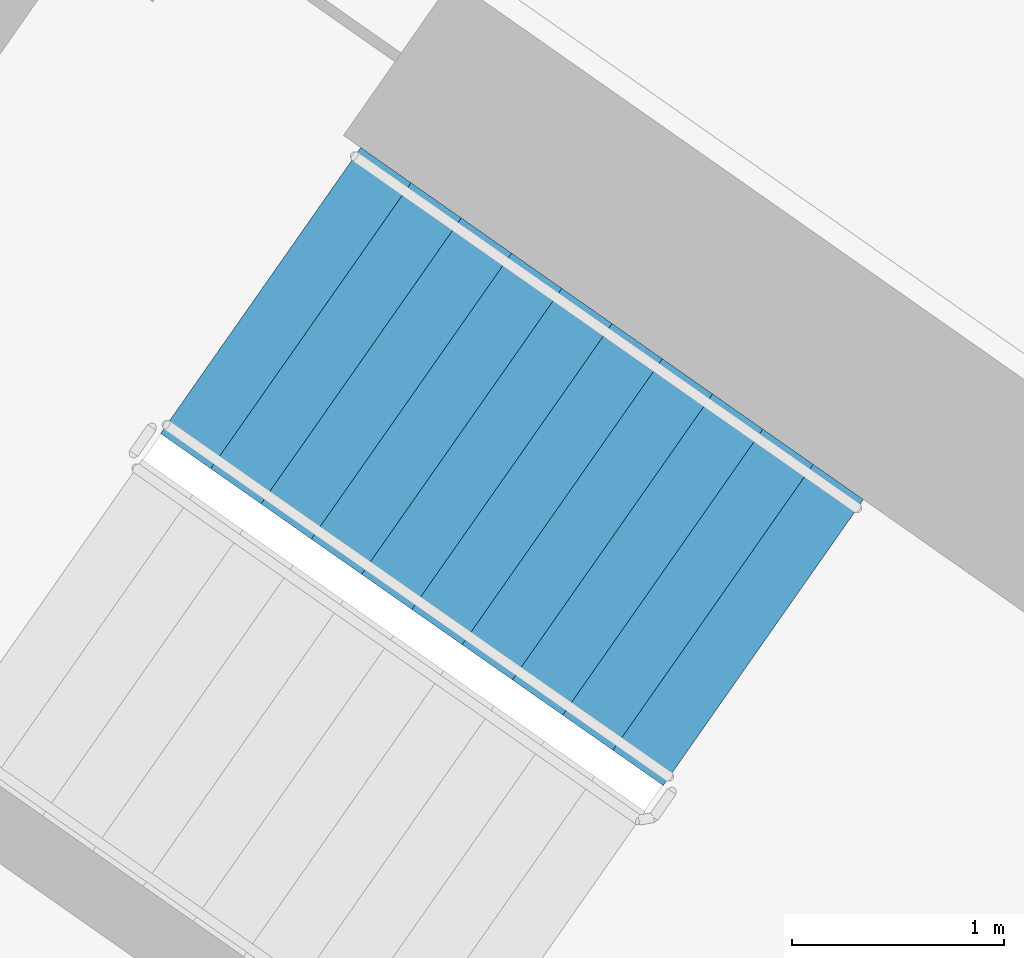
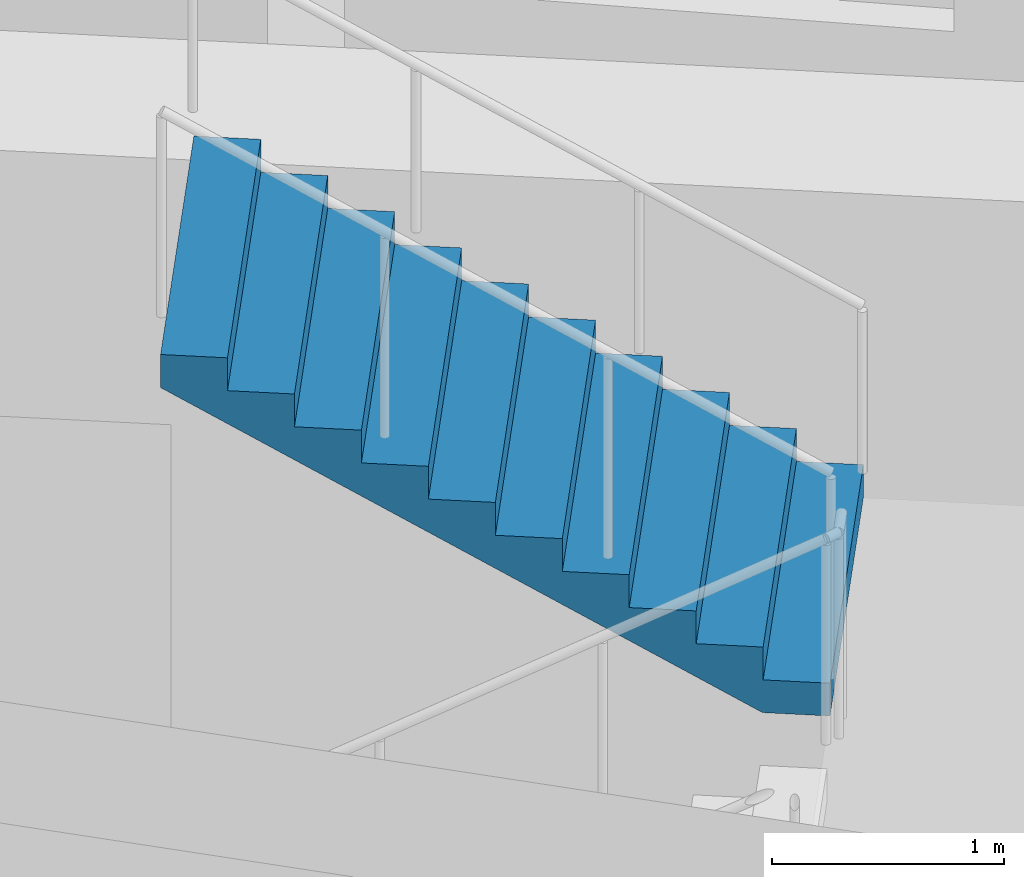
# One storey, part 14 of 31: 1 stair flight, 1 element without a shape of its own.
"""IFC4 building model written with IfcOpenShell, lengths in metres."""

from ifc_helpers import new_model, si_unit, direction, frame, origin, place, context, subcontext, project, spatial, faceted_brep, material, type_object, element, aggregate, save


model = new_model("IFC4")

# Units and contexts
model_context = context("Model", 3, precision=1e-05, world=origin(), true_north=direction((0.0, 1.0)))
body_context = subcontext(model_context, "Body", "Model", "MODEL_VIEW")
ifc_project = project(units=[si_unit("LENGTHUNIT", "METRE"), si_unit("AREAUNIT", "SQUARE_METRE"), si_unit("VOLUMEUNIT", "CUBIC_METRE"), si_unit("PLANEANGLEUNIT", "RADIAN"), si_unit("MASSUNIT", "GRAM", prefix="KILO")], contexts=[model_context])

# Site, building, storey
site_placement = place(None, origin())
site = spatial("IfcSite", under=ifc_project, at=site_placement, CompositionType="ELEMENT")
building_placement = place(site_placement, origin())
building = spatial("IfcBuilding", under=site, at=building_placement, Name="Qamariyya Broadcast Tower", CompositionType="ELEMENT")
storey_placement = place(building_placement, frame((0.0, 0.0, 74.699951171875)))
storey = spatial("IfcBuildingStorey", under=building, at=storey_placement, Name="L15", CompositionType="ELEMENT", Elevation=74.699951171875)

# Stair, stair flight
ifc_material = material(Name="Concrete C50/60", Category="concrete")
stair_type = type_object("IfcStairType", Name="Exit stair 22 risers of 173 mm", PredefinedType="HALF_TURN_STAIR", material=ifc_material)
stair_placement = place(storey_placement, origin())
stair = element("IfcStair", 1, at=stair_placement, inside=storey, type_object=stair_type, Name="L15 Stair W2", PredefinedType="HALF_TURN_STAIR")
stair_flight_type = type_object("IfcStairFlightType", Name="Exit stair flight 11 risers of 173 mm", PredefinedType="STRAIGHT", material=ifc_material)
stair_flight_placement = place(storey_placement, frame((-38.18310546875, -49.3486328125, 1.900146484375), z_axis=(0.0, 0.0, 1.0), x_axis=(-0.819152044289, 0.573576436351, 0.0)))
stair_flight = element("IfcStairFlight", 2, at=stair_flight_placement, type_object=stair_flight_type, Name="ST-W2 flight 2", NumberOfRisers=11, NumberOfTreads=10, PredefinedType="STRAIGHT", RiserHeight=0.172727273, TreadLength=0.29, context=body_context, shape_type="Brep", body=[
    faceted_brep([(0.0, 0.824951171875, 0.0), (0.0, 0.824951171875, 0.172607421875), (0.2900390625, 0.824951171875, 0.172607421875), (0.2900390625, 0.824951171875, 0.345458984375), (0.580078125, 0.824951171875, 0.345458984375), (0.580078125, 0.824951171875, 0.51806640625), (0.8701171875, 0.824951171875, 0.51806640625), (0.8701171875, 0.824951171875, 0.69091796875), (1.159912109375, 0.824951171875, 0.69091796875), (1.159912109375, 0.824951171875, 0.863525390625), (1.449951171875, 0.824951171875, 0.863525390625), (1.449951171875, 0.824951171875, 1.036376953125), (1.739990234375, 0.824951171875, 1.036376953125), (1.739990234375, 0.824951171875, 1.208984375), (2.030029296875, 0.824951171875, 1.208984375), (2.030029296875, 0.824951171875, 1.3818359375), (2.320068359375, 0.824951171875, 1.3818359375), (2.320068359375, 0.824951171875, 1.554443359375), (2.610107421875, 0.824951171875, 1.554443359375), (2.610107421875, 0.824951171875, 1.727294921875), (2.89990234375, 0.824951171875, 1.727294921875), (2.89990234375, 0.824951171875, 1.552734375), (0.29296875, 0.824951171875, 0.0), (0.29296875, -0.824951171875, 0.0), (2.89990234375, -0.824951171875, 1.552734375), (2.89990234375, -0.824951171875, 1.727294921875), (2.610107421875, -0.824951171875, 1.727294921875), (2.610107421875, -0.824951171875, 1.554443359375), (2.320068359375, -0.824951171875, 1.554443359375), (2.320068359375, -0.824951171875, 1.3818359375), (2.030029296875, -0.824951171875, 1.3818359375), (2.030029296875, -0.824951171875, 1.208984375), (1.739990234375, -0.824951171875, 1.208984375), (1.739990234375, -0.824951171875, 1.036376953125), (1.449951171875, -0.824951171875, 1.036376953125), (1.449951171875, -0.824951171875, 0.863525390625), (1.159912109375, -0.824951171875, 0.863525390625), (1.159912109375, -0.824951171875, 0.69091796875), (0.8701171875, -0.824951171875, 0.69091796875), (0.8701171875, -0.824951171875, 0.51806640625), (0.580078125, -0.824951171875, 0.51806640625), (0.580078125, -0.824951171875, 0.345458984375), (0.2900390625, -0.824951171875, 0.345458984375), (0.2900390625, -0.824951171875, 0.172607421875), (0.0, -0.824951171875, 0.172607421875), (0.0, -0.824951171875, 0.0), (0.0, 0.10009765625, 0.0), (0.0, 0.086669921875, 0.0), (0.0, 0.0732421875, 0.0), (0.0, 0.06005859375, 0.0), (0.0, 0.046630859375, 0.0), (0.0, 0.033447265625, 0.0), (0.0, 0.02001953125, 0.0), (0.0, 0.006591796875, 0.0), (0.0, -0.006591796875, 0.0), (0.0, -0.02001953125, 0.0), (0.0, -0.033447265625, 0.0), (0.0, -0.046630859375, 0.0), (0.0, -0.06005859375, 0.0), (0.0, -0.0732421875, 0.0), (0.0, -0.086669921875, 0.0), (0.0, -0.10009765625, 0.0), (0.0, -0.10009765625, 0.172607421875), (0.0, -0.086669921875, 0.172607421875), (0.0, -0.0732421875, 0.172607421875), (0.0, -0.06005859375, 0.172607421875), (0.0, -0.046630859375, 0.172607421875), (0.0, -0.033447265625, 0.172607421875), (0.0, -0.02001953125, 0.172607421875), (0.0, -0.006591796875, 0.172607421875), (0.0, 0.006591796875, 0.172607421875), (0.0, 0.02001953125, 0.172607421875), (0.0, 0.033447265625, 0.172607421875), (0.0, 0.046630859375, 0.172607421875), (0.0, 0.06005859375, 0.172607421875), (0.0, 0.0732421875, 0.172607421875), (0.0, 0.086669921875, 0.172607421875), (0.0, 0.10009765625, 0.172607421875), (0.2900390625, -0.10009765625, 0.172607421875), (0.2900390625, -0.086669921875, 0.172607421875), (0.2900390625, -0.0732421875, 0.172607421875), (0.2900390625, -0.06005859375, 0.172607421875), (0.2900390625, -0.046630859375, 0.172607421875), (0.2900390625, -0.033447265625, 0.172607421875), (0.2900390625, -0.02001953125, 0.172607421875), (0.2900390625, -0.006591796875, 0.172607421875), (0.2900390625, 0.006591796875, 0.172607421875), (0.2900390625, 0.02001953125, 0.172607421875), (0.2900390625, 0.033447265625, 0.172607421875), (0.2900390625, 0.046630859375, 0.172607421875), (0.2900390625, 0.06005859375, 0.172607421875), (0.2900390625, 0.0732421875, 0.172607421875), (0.2900390625, 0.086669921875, 0.172607421875), (0.2900390625, 0.10009765625, 0.172607421875), (0.2900390625, -0.10009765625, 0.345458984375), (0.2900390625, -0.086669921875, 0.345458984375), (0.2900390625, -0.0732421875, 0.345458984375), (0.2900390625, -0.06005859375, 0.345458984375), (0.2900390625, -0.046630859375, 0.345458984375), (0.2900390625, -0.033447265625, 0.345458984375), (0.2900390625, -0.02001953125, 0.345458984375), (0.2900390625, -0.006591796875, 0.345458984375), (0.2900390625, 0.006591796875, 0.345458984375), (0.2900390625, 0.02001953125, 0.345458984375), (0.2900390625, 0.033447265625, 0.345458984375), (0.2900390625, 0.046630859375, 0.345458984375), (0.2900390625, 0.06005859375, 0.345458984375), (0.2900390625, 0.0732421875, 0.345458984375), (0.2900390625, 0.086669921875, 0.345458984375), (0.2900390625, 0.10009765625, 0.345458984375), (0.580078125, -0.10009765625, 0.345458984375), (0.580078125, -0.086669921875, 0.345458984375), (0.580078125, -0.0732421875, 0.345458984375), (0.580078125, -0.06005859375, 0.345458984375), (0.580078125, -0.046630859375, 0.345458984375), (0.580078125, -0.033447265625, 0.345458984375), (0.580078125, -0.02001953125, 0.345458984375), (0.580078125, -0.006591796875, 0.345458984375), (0.580078125, 0.006591796875, 0.345458984375), (0.580078125, 0.02001953125, 0.345458984375), (0.580078125, 0.033447265625, 0.345458984375), (0.580078125, 0.046630859375, 0.345458984375), (0.580078125, 0.06005859375, 0.345458984375), (0.580078125, 0.0732421875, 0.345458984375), (0.580078125, 0.086669921875, 0.345458984375), (0.580078125, 0.10009765625, 0.345458984375), (0.580078125, -0.10009765625, 0.51806640625), (0.580078125, -0.086669921875, 0.51806640625), (0.580078125, -0.0732421875, 0.51806640625), (0.580078125, -0.06005859375, 0.51806640625), (0.580078125, -0.046630859375, 0.51806640625), (0.580078125, -0.033447265625, 0.51806640625), (0.580078125, -0.02001953125, 0.51806640625), (0.580078125, -0.006591796875, 0.51806640625), (0.580078125, 0.006591796875, 0.51806640625), (0.580078125, 0.02001953125, 0.51806640625), (0.580078125, 0.033447265625, 0.51806640625), (0.580078125, 0.046630859375, 0.51806640625), (0.580078125, 0.06005859375, 0.51806640625), (0.580078125, 0.0732421875, 0.51806640625), (0.580078125, 0.086669921875, 0.51806640625), (0.580078125, 0.10009765625, 0.51806640625), (0.8701171875, -0.10009765625, 0.51806640625), (0.8701171875, -0.086669921875, 0.51806640625), (0.8701171875, -0.0732421875, 0.51806640625), (0.8701171875, -0.06005859375, 0.51806640625), (0.8701171875, -0.046630859375, 0.51806640625), (0.8701171875, -0.033447265625, 0.51806640625), (0.8701171875, -0.02001953125, 0.51806640625), (0.8701171875, -0.006591796875, 0.51806640625), (0.8701171875, 0.006591796875, 0.51806640625), (0.8701171875, 0.02001953125, 0.51806640625), (0.8701171875, 0.033447265625, 0.51806640625), (0.8701171875, 0.046630859375, 0.51806640625), (0.8701171875, 0.06005859375, 0.51806640625), (0.8701171875, 0.0732421875, 0.51806640625), (0.8701171875, 0.086669921875, 0.51806640625), (0.8701171875, 0.10009765625, 0.51806640625), (0.8701171875, -0.10009765625, 0.69091796875), (0.8701171875, -0.086669921875, 0.69091796875), (0.8701171875, -0.0732421875, 0.69091796875), (0.8701171875, -0.06005859375, 0.69091796875), (0.8701171875, -0.046630859375, 0.69091796875), (0.8701171875, -0.033447265625, 0.69091796875), (0.8701171875, -0.02001953125, 0.69091796875), (0.8701171875, -0.006591796875, 0.69091796875), (0.8701171875, 0.006591796875, 0.69091796875), (0.8701171875, 0.02001953125, 0.69091796875), (0.8701171875, 0.033447265625, 0.69091796875), (0.8701171875, 0.046630859375, 0.69091796875), (0.8701171875, 0.06005859375, 0.69091796875), (0.8701171875, 0.0732421875, 0.69091796875), (0.8701171875, 0.086669921875, 0.69091796875), (0.8701171875, 0.10009765625, 0.69091796875), (1.159912109375, -0.10009765625, 0.69091796875), (1.159912109375, -0.086669921875, 0.69091796875), (1.159912109375, -0.0732421875, 0.69091796875), (1.159912109375, -0.06005859375, 0.69091796875), (1.159912109375, -0.046630859375, 0.69091796875), (1.159912109375, -0.033447265625, 0.69091796875), (1.159912109375, -0.02001953125, 0.69091796875), (1.159912109375, -0.006591796875, 0.69091796875), (1.159912109375, 0.006591796875, 0.69091796875), (1.159912109375, 0.02001953125, 0.69091796875), (1.159912109375, 0.033447265625, 0.69091796875), (1.159912109375, 0.046630859375, 0.69091796875), (1.159912109375, 0.06005859375, 0.69091796875), (1.159912109375, 0.0732421875, 0.69091796875), (1.159912109375, 0.086669921875, 0.69091796875), (1.159912109375, 0.10009765625, 0.69091796875), (1.159912109375, -0.10009765625, 0.863525390625), (1.159912109375, -0.086669921875, 0.863525390625), (1.159912109375, -0.0732421875, 0.863525390625), (1.159912109375, -0.06005859375, 0.863525390625), (1.159912109375, -0.046630859375, 0.863525390625), (1.159912109375, -0.033447265625, 0.863525390625), (1.159912109375, -0.02001953125, 0.863525390625), (1.159912109375, -0.006591796875, 0.863525390625), (1.159912109375, 0.006591796875, 0.863525390625), (1.159912109375, 0.02001953125, 0.863525390625), (1.159912109375, 0.033447265625, 0.863525390625), (1.159912109375, 0.046630859375, 0.863525390625), (1.159912109375, 0.06005859375, 0.863525390625), (1.159912109375, 0.0732421875, 0.863525390625), (1.159912109375, 0.086669921875, 0.863525390625), (1.159912109375, 0.10009765625, 0.863525390625), (1.449951171875, -0.10009765625, 0.863525390625), (1.449951171875, -0.086669921875, 0.863525390625), (1.449951171875, -0.0732421875, 0.863525390625), (1.449951171875, -0.06005859375, 0.863525390625), (1.449951171875, -0.046630859375, 0.863525390625), (1.449951171875, -0.033447265625, 0.863525390625), (1.449951171875, -0.02001953125, 0.863525390625), (1.449951171875, -0.006591796875, 0.863525390625), (1.449951171875, 0.006591796875, 0.863525390625), (1.449951171875, 0.02001953125, 0.863525390625), (1.449951171875, 0.033447265625, 0.863525390625), (1.449951171875, 0.046630859375, 0.863525390625), (1.449951171875, 0.06005859375, 0.863525390625), (1.449951171875, 0.0732421875, 0.863525390625), (1.449951171875, 0.086669921875, 0.863525390625), (1.449951171875, 0.10009765625, 0.863525390625), (1.449951171875, -0.10009765625, 1.036376953125), (1.449951171875, -0.086669921875, 1.036376953125), (1.449951171875, -0.0732421875, 1.036376953125), (1.449951171875, -0.06005859375, 1.036376953125), (1.449951171875, -0.046630859375, 1.036376953125), (1.449951171875, -0.033447265625, 1.036376953125), (1.449951171875, -0.02001953125, 1.036376953125), (1.449951171875, -0.006591796875, 1.036376953125), (1.449951171875, 0.006591796875, 1.036376953125), (1.449951171875, 0.02001953125, 1.036376953125), (1.449951171875, 0.033447265625, 1.036376953125), (1.449951171875, 0.046630859375, 1.036376953125), (1.449951171875, 0.06005859375, 1.036376953125), (1.449951171875, 0.0732421875, 1.036376953125), (1.449951171875, 0.086669921875, 1.036376953125), (1.449951171875, 0.10009765625, 1.036376953125), (1.739990234375, -0.10009765625, 1.036376953125), (1.739990234375, -0.086669921875, 1.036376953125), (1.739990234375, -0.0732421875, 1.036376953125), (1.739990234375, -0.06005859375, 1.036376953125), (1.739990234375, -0.046630859375, 1.036376953125), (1.739990234375, -0.033447265625, 1.036376953125), (1.739990234375, -0.02001953125, 1.036376953125), (1.739990234375, -0.006591796875, 1.036376953125), (1.739990234375, 0.006591796875, 1.036376953125), (1.739990234375, 0.02001953125, 1.036376953125), (1.739990234375, 0.033447265625, 1.036376953125), (1.739990234375, 0.046630859375, 1.036376953125), (1.739990234375, 0.06005859375, 1.036376953125), (1.739990234375, 0.0732421875, 1.036376953125), (1.739990234375, 0.086669921875, 1.036376953125), (1.739990234375, 0.10009765625, 1.036376953125), (1.739990234375, -0.10009765625, 1.208984375), (1.739990234375, -0.086669921875, 1.208984375), (1.739990234375, -0.0732421875, 1.208984375), (1.739990234375, -0.06005859375, 1.208984375), (1.739990234375, -0.046630859375, 1.208984375), (1.739990234375, -0.033447265625, 1.208984375), (1.739990234375, -0.02001953125, 1.208984375), (1.739990234375, -0.006591796875, 1.208984375), (1.739990234375, 0.006591796875, 1.208984375), (1.739990234375, 0.02001953125, 1.208984375), (1.739990234375, 0.033447265625, 1.208984375), (1.739990234375, 0.046630859375, 1.208984375), (1.739990234375, 0.06005859375, 1.208984375), (1.739990234375, 0.0732421875, 1.208984375), (1.739990234375, 0.086669921875, 1.208984375), (1.739990234375, 0.10009765625, 1.208984375), (2.030029296875, -0.10009765625, 1.208984375), (2.030029296875, -0.086669921875, 1.208984375), (2.030029296875, -0.0732421875, 1.208984375), (2.030029296875, -0.06005859375, 1.208984375), (2.030029296875, -0.046630859375, 1.208984375), (2.030029296875, -0.033447265625, 1.208984375), (2.030029296875, -0.02001953125, 1.208984375), (2.030029296875, -0.006591796875, 1.208984375), (2.030029296875, 0.006591796875, 1.208984375), (2.030029296875, 0.02001953125, 1.208984375), (2.030029296875, 0.033447265625, 1.208984375), (2.030029296875, 0.046630859375, 1.208984375), (2.030029296875, 0.06005859375, 1.208984375), (2.030029296875, 0.0732421875, 1.208984375), (2.030029296875, 0.086669921875, 1.208984375), (2.030029296875, 0.10009765625, 1.208984375), (2.030029296875, -0.10009765625, 1.3818359375), (2.030029296875, -0.086669921875, 1.3818359375), (2.030029296875, -0.0732421875, 1.3818359375), (2.030029296875, -0.06005859375, 1.3818359375), (2.030029296875, -0.046630859375, 1.3818359375), (2.030029296875, -0.033447265625, 1.3818359375), (2.030029296875, -0.02001953125, 1.3818359375), (2.030029296875, -0.006591796875, 1.3818359375), (2.030029296875, 0.006591796875, 1.3818359375), (2.030029296875, 0.02001953125, 1.3818359375), (2.030029296875, 0.033447265625, 1.3818359375), (2.030029296875, 0.046630859375, 1.3818359375), (2.030029296875, 0.06005859375, 1.3818359375), (2.030029296875, 0.0732421875, 1.3818359375), (2.030029296875, 0.086669921875, 1.3818359375), (2.030029296875, 0.10009765625, 1.3818359375), (2.320068359375, -0.10009765625, 1.3818359375), (2.320068359375, -0.086669921875, 1.3818359375), (2.320068359375, -0.0732421875, 1.3818359375), (2.320068359375, -0.06005859375, 1.3818359375), (2.320068359375, -0.046630859375, 1.3818359375), (2.320068359375, -0.033447265625, 1.3818359375), (2.320068359375, -0.02001953125, 1.3818359375), (2.320068359375, -0.006591796875, 1.3818359375), (2.320068359375, 0.006591796875, 1.3818359375), (2.320068359375, 0.02001953125, 1.3818359375), (2.320068359375, 0.033447265625, 1.3818359375), (2.320068359375, 0.046630859375, 1.3818359375), (2.320068359375, 0.06005859375, 1.3818359375), (2.320068359375, 0.0732421875, 1.3818359375), (2.320068359375, 0.086669921875, 1.3818359375), (2.320068359375, 0.10009765625, 1.3818359375), (2.320068359375, -0.10009765625, 1.554443359375), (2.320068359375, -0.086669921875, 1.554443359375), (2.320068359375, -0.0732421875, 1.554443359375), (2.320068359375, -0.06005859375, 1.554443359375), (2.320068359375, -0.046630859375, 1.554443359375), (2.320068359375, -0.033447265625, 1.554443359375), (2.320068359375, -0.02001953125, 1.554443359375), (2.320068359375, -0.006591796875, 1.554443359375), (2.320068359375, 0.006591796875, 1.554443359375), (2.320068359375, 0.02001953125, 1.554443359375), (2.320068359375, 0.033447265625, 1.554443359375), (2.320068359375, 0.046630859375, 1.554443359375), (2.320068359375, 0.06005859375, 1.554443359375), (2.320068359375, 0.0732421875, 1.554443359375), (2.320068359375, 0.086669921875, 1.554443359375), (2.320068359375, 0.10009765625, 1.554443359375), (2.610107421875, -0.10009765625, 1.554443359375), (2.610107421875, -0.086669921875, 1.554443359375), (2.610107421875, -0.0732421875, 1.554443359375), (2.610107421875, -0.06005859375, 1.554443359375), (2.610107421875, -0.046630859375, 1.554443359375), (2.610107421875, -0.033447265625, 1.554443359375), (2.610107421875, -0.02001953125, 1.554443359375), (2.610107421875, -0.006591796875, 1.554443359375), (2.610107421875, 0.006591796875, 1.554443359375), (2.610107421875, 0.02001953125, 1.554443359375), (2.610107421875, 0.033447265625, 1.554443359375), (2.610107421875, 0.046630859375, 1.554443359375), (2.610107421875, 0.06005859375, 1.554443359375), (2.610107421875, 0.0732421875, 1.554443359375), (2.610107421875, 0.086669921875, 1.554443359375), (2.610107421875, 0.10009765625, 1.554443359375), (2.610107421875, -0.10009765625, 1.727294921875), (2.610107421875, -0.086669921875, 1.727294921875), (2.610107421875, -0.0732421875, 1.727294921875), (2.610107421875, -0.06005859375, 1.727294921875), (2.610107421875, -0.046630859375, 1.727294921875), (2.610107421875, -0.033447265625, 1.727294921875), (2.610107421875, -0.02001953125, 1.727294921875), (2.610107421875, -0.006591796875, 1.727294921875), (2.610107421875, 0.006591796875, 1.727294921875), (2.610107421875, 0.02001953125, 1.727294921875), (2.610107421875, 0.033447265625, 1.727294921875), (2.610107421875, 0.046630859375, 1.727294921875), (2.610107421875, 0.06005859375, 1.727294921875), (2.610107421875, 0.0732421875, 1.727294921875), (2.610107421875, 0.086669921875, 1.727294921875), (2.610107421875, 0.10009765625, 1.727294921875), (2.89990234375, -0.10009765625, 1.727294921875), (2.89990234375, -0.086669921875, 1.727294921875), (2.89990234375, -0.0732421875, 1.727294921875), (2.89990234375, -0.06005859375, 1.727294921875), (2.89990234375, -0.046630859375, 1.727294921875), (2.89990234375, -0.033447265625, 1.727294921875), (2.89990234375, -0.02001953125, 1.727294921875), (2.89990234375, -0.006591796875, 1.727294921875), (2.89990234375, 0.006591796875, 1.727294921875), (2.89990234375, 0.02001953125, 1.727294921875), (2.89990234375, 0.033447265625, 1.727294921875), (2.89990234375, 0.046630859375, 1.727294921875), (2.89990234375, 0.06005859375, 1.727294921875), (2.89990234375, 0.0732421875, 1.727294921875), (2.89990234375, 0.086669921875, 1.727294921875), (2.89990234375, 0.10009765625, 1.727294921875), (2.89990234375, -0.10009765625, 1.552734375), (2.89990234375, -0.086669921875, 1.552734375), (2.89990234375, -0.0732421875, 1.552734375), (2.89990234375, -0.06005859375, 1.552734375), (2.89990234375, -0.046630859375, 1.552734375), (2.89990234375, -0.033447265625, 1.552734375), (2.89990234375, -0.02001953125, 1.552734375), (2.89990234375, -0.006591796875, 1.552734375), (2.89990234375, 0.006591796875, 1.552734375), (2.89990234375, 0.02001953125, 1.552734375), (2.89990234375, 0.033447265625, 1.552734375), (2.89990234375, 0.046630859375, 1.552734375), (2.89990234375, 0.06005859375, 1.552734375), (2.89990234375, 0.0732421875, 1.552734375), (2.89990234375, 0.086669921875, 1.552734375), (2.89990234375, 0.10009765625, 1.552734375), (0.29296875, -0.10009765625, 0.0), (0.29296875, -0.086669921875, 0.0), (0.29296875, -0.0732421875, 0.0), (0.29296875, -0.06005859375, 0.0), (0.29296875, -0.046630859375, 0.0), (0.29296875, -0.033447265625, 0.0), (0.29296875, -0.02001953125, 0.0), (0.29296875, -0.006591796875, 0.0), (0.29296875, 0.006591796875, 0.0), (0.29296875, 0.02001953125, 0.0), (0.29296875, 0.033447265625, 0.0), (0.29296875, 0.046630859375, 0.0), (0.29296875, 0.06005859375, 0.0), (0.29296875, 0.0732421875, 0.0), (0.29296875, 0.086669921875, 0.0), (0.29296875, 0.10009765625, 0.0)], [[[0, 1, 2, 3, 4, 5, 6, 7, 8, 9, 10, 11, 12, 13, 14, 15, 16, 17, 18, 19, 20, 21, 22]], [[23, 24, 25, 26, 27, 28, 29, 30, 31, 32, 33, 34, 35, 36, 37, 38, 39, 40, 41, 42, 43, 44, 45]], [[0, 46, 47, 48, 49, 50, 51, 52, 53, 54, 55, 56, 57, 58, 59, 60, 61, 45, 44, 62, 63, 64, 65, 66, 67, 68, 69, 70, 71, 72, 73, 74, 75, 76, 77, 1]], [[1, 77, 76, 75, 74, 73, 72, 71, 70, 69, 68, 67, 66, 65, 64, 63, 62, 44, 43, 78, 79, 80, 81, 82, 83, 84, 85, 86, 87, 88, 89, 90, 91, 92, 93, 2]], [[2, 93, 92, 91, 90, 89, 88, 87, 86, 85, 84, 83, 82, 81, 80, 79, 78, 43, 42, 94, 95, 96, 97, 98, 99, 100, 101, 102, 103, 104, 105, 106, 107, 108, 109, 3]], [[3, 109, 108, 107, 106, 105, 104, 103, 102, 101, 100, 99, 98, 97, 96, 95, 94, 42, 41, 110, 111, 112, 113, 114, 115, 116, 117, 118, 119, 120, 121, 122, 123, 124, 125, 4]], [[4, 125, 124, 123, 122, 121, 120, 119, 118, 117, 116, 115, 114, 113, 112, 111, 110, 41, 40, 126, 127, 128, 129, 130, 131, 132, 133, 134, 135, 136, 137, 138, 139, 140, 141, 5]], [[5, 141, 140, 139, 138, 137, 136, 135, 134, 133, 132, 131, 130, 129, 128, 127, 126, 40, 39, 142, 143, 144, 145, 146, 147, 148, 149, 150, 151, 152, 153, 154, 155, 156, 157, 6]], [[6, 157, 156, 155, 154, 153, 152, 151, 150, 149, 148, 147, 146, 145, 144, 143, 142, 39, 38, 158, 159, 160, 161, 162, 163, 164, 165, 166, 167, 168, 169, 170, 171, 172, 173, 7]], [[7, 173, 172, 171, 170, 169, 168, 167, 166, 165, 164, 163, 162, 161, 160, 159, 158, 38, 37, 174, 175, 176, 177, 178, 179, 180, 181, 182, 183, 184, 185, 186, 187, 188, 189, 8]], [[8, 189, 188, 187, 186, 185, 184, 183, 182, 181, 180, 179, 178, 177, 176, 175, 174, 37, 36, 190, 191, 192, 193, 194, 195, 196, 197, 198, 199, 200, 201, 202, 203, 204, 205, 9]], [[9, 205, 204, 203, 202, 201, 200, 199, 198, 197, 196, 195, 194, 193, 192, 191, 190, 36, 35, 206, 207, 208, 209, 210, 211, 212, 213, 214, 215, 216, 217, 218, 219, 220, 221, 10]], [[10, 221, 220, 219, 218, 217, 216, 215, 214, 213, 212, 211, 210, 209, 208, 207, 206, 35, 34, 222, 223, 224, 225, 226, 227, 228, 229, 230, 231, 232, 233, 234, 235, 236, 237, 11]], [[11, 237, 236, 235, 234, 233, 232, 231, 230, 229, 228, 227, 226, 225, 224, 223, 222, 34, 33, 238, 239, 240, 241, 242, 243, 244, 245, 246, 247, 248, 249, 250, 251, 252, 253, 12]], [[12, 253, 252, 251, 250, 249, 248, 247, 246, 245, 244, 243, 242, 241, 240, 239, 238, 33, 32, 254, 255, 256, 257, 258, 259, 260, 261, 262, 263, 264, 265, 266, 267, 268, 269, 13]], [[13, 269, 268, 267, 266, 265, 264, 263, 262, 261, 260, 259, 258, 257, 256, 255, 254, 32, 31, 270, 271, 272, 273, 274, 275, 276, 277, 278, 279, 280, 281, 282, 283, 284, 285, 14]], [[14, 285, 284, 283, 282, 281, 280, 279, 278, 277, 276, 275, 274, 273, 272, 271, 270, 31, 30, 286, 287, 288, 289, 290, 291, 292, 293, 294, 295, 296, 297, 298, 299, 300, 301, 15]], [[15, 301, 300, 299, 298, 297, 296, 295, 294, 293, 292, 291, 290, 289, 288, 287, 286, 30, 29, 302, 303, 304, 305, 306, 307, 308, 309, 310, 311, 312, 313, 314, 315, 316, 317, 16]], [[16, 317, 316, 315, 314, 313, 312, 311, 310, 309, 308, 307, 306, 305, 304, 303, 302, 29, 28, 318, 319, 320, 321, 322, 323, 324, 325, 326, 327, 328, 329, 330, 331, 332, 333, 17]], [[17, 333, 332, 331, 330, 329, 328, 327, 326, 325, 324, 323, 322, 321, 320, 319, 318, 28, 27, 334, 335, 336, 337, 338, 339, 340, 341, 342, 343, 344, 345, 346, 347, 348, 349, 18]], [[18, 349, 348, 347, 346, 345, 344, 343, 342, 341, 340, 339, 338, 337, 336, 335, 334, 27, 26, 350, 351, 352, 353, 354, 355, 356, 357, 358, 359, 360, 361, 362, 363, 364, 365, 19]], [[19, 365, 364, 363, 362, 361, 360, 359, 358, 357, 356, 355, 354, 353, 352, 351, 350, 26, 25, 366, 367, 368, 369, 370, 371, 372, 373, 374, 375, 376, 377, 378, 379, 380, 381, 20]], [[20, 381, 380, 379, 378, 377, 376, 375, 374, 373, 372, 371, 370, 369, 368, 367, 366, 25, 24, 382, 383, 384, 385, 386, 387, 388, 389, 390, 391, 392, 393, 394, 395, 396, 397, 21]], [[21, 397, 396, 395, 394, 393, 392, 391, 390, 389, 388, 387, 386, 385, 384, 383, 382, 24, 23, 398, 399, 400, 401, 402, 403, 404, 405, 406, 407, 408, 409, 410, 411, 412, 413, 22]], [[22, 413, 412, 411, 410, 409, 408, 407, 406, 405, 404, 403, 402, 401, 400, 399, 398, 23, 45, 61, 60, 59, 58, 57, 56, 55, 54, 53, 52, 51, 50, 49, 48, 47, 46, 0]]]),
])
aggregate(stair, [stair_flight])

save(model, "model.ifc")
